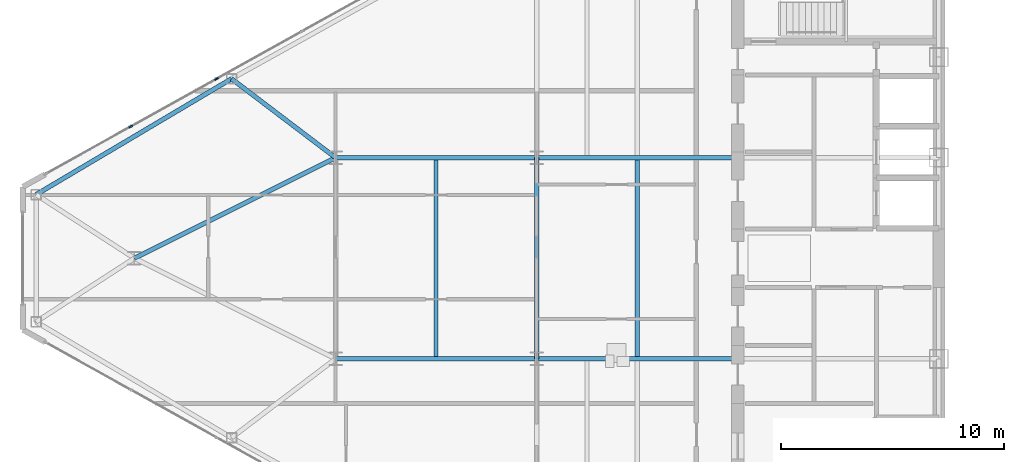
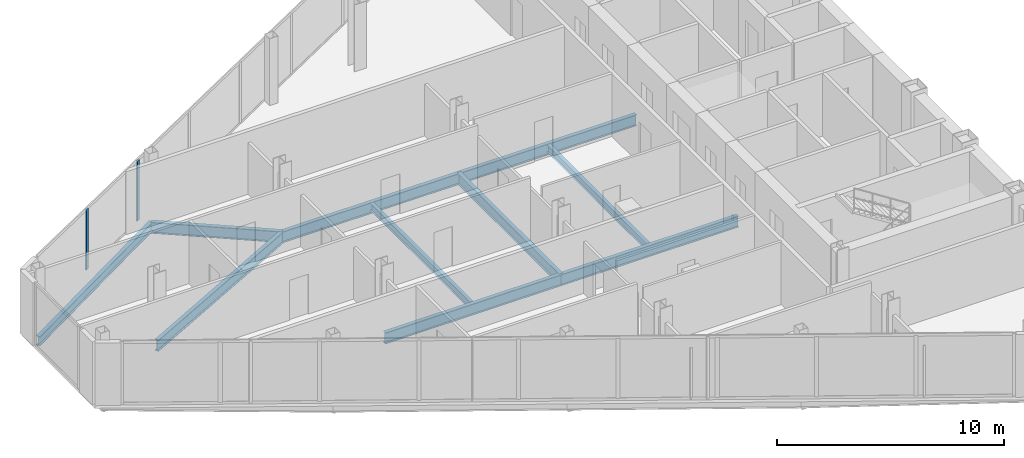
# One storey, part 6 of 26: 10 beams, 2 members, 1 element without a shape of its own.
"""IFC4 building model written with IfcOpenShell, lengths in metres."""

from ifc_helpers import new_model, si_unit, direction, frame, origin, origin_2d, place, context, subcontext, project, spatial, rectangle, i_section, extrude, source, transform, mapped, material, layer, layer_set, material_profile, profile_set, type_object, type_shapes, element, aggregate, save


model = new_model("IFC4")

# Units and contexts
model_context = context("Model", 3, precision=1e-05, world=origin(), true_north=direction((0.0, 1.0)))
body_context = subcontext(model_context, "Body", "Model", "MODEL_VIEW")
ifc_project = project(units=[si_unit("LENGTHUNIT", "METRE"), si_unit("AREAUNIT", "SQUARE_METRE"), si_unit("VOLUMEUNIT", "CUBIC_METRE"), si_unit("PLANEANGLEUNIT", "RADIAN"), si_unit("MASSUNIT", "GRAM", prefix="KILO")], contexts=[model_context])

# Site, building, storey
site_placement = place(None, origin())
site = spatial("IfcSite", under=ifc_project, at=site_placement, CompositionType="ELEMENT")
building_placement = place(site_placement, origin())
building = spatial("IfcBuilding", under=site, at=building_placement, Name="Seokmaru Belvedere", CompositionType="ELEMENT")
storey_placement = place(building_placement, frame((0.0, 0.0, 181.5)))
storey = spatial("IfcBuildingStorey", under=building, at=storey_placement, Name="L48", CompositionType="ELEMENT", Elevation=181.5)

# Beams
ifc_material_1 = material(Name="Steel SM355 (355 MPa)", Category="steel")
ifc_material_profile_1 = material_profile(ifc_material_1, i_section(OverallWidth=0.199951171875, OverallDepth=0.60009765625, WebThickness=0.010986328125, FlangeThickness=0.01708984375, at=origin_2d()), Name="H-600x200x11x17")
ifc_profile_set_1 = profile_set([ifc_material_profile_1], Name="Steel SM355 (355 MPa)")
beam_type_1 = type_object("IfcBeamType", Name="Primary Floor Girder H-600", PredefinedType="BEAM", material=ifc_profile_set_1)
shared_shape_1 = source(origin(), body_context, "Body", "SweptSolid", [
    extrude(i_section(OverallWidth=0.199951171875, OverallDepth=0.60009765625, WebThickness=0.010986328125, FlangeThickness=0.01708984375, at=origin_2d()), origin(), (0.0, 0.0, 1.0), 9.0),
])
for number, where, z_axis, x_axis, name in (
    (1, (-45.5, -4.5, -0.52001953125), (0.0, 1.0, 0.0), (-1.0, 0.0, 0.0), "L48 W Interior Grid Girder 2"),
    (2, (-45.5, -4.5, -0.52001953125), (1.0, 0.0, 0.0), (0.0, 1.0, 0.0), "L48 W Wing Primary Girder 2"),
    (3, (-45.5, 4.5, -0.52001953125), (1.0, 0.0, 0.0), (0.0, 1.0, 0.0), "L48 W Wing Primary Girder 3"),
    (4, (-54.5, -4.5, -0.52001953125), (1.0, 0.0, 0.0), (0.0, 1.0, 0.0), "L48 W Outer Wing Girder 1"),
    (5, (-54.5, 4.5, -0.52001953125), (1.0, 0.0, 0.0), (0.0, 1.0, 0.0), "L48 W Outer Wing Girder 2"),
):
    element("IfcBeam", number, at=place(storey_placement, frame(where, z_axis=z_axis, x_axis=x_axis)), inside=storey, type_object=beam_type_1, Name=name, PredefinedType="BEAM", context=body_context, shape_type="MappedRepresentation", body=[
        mapped(shared_shape_1, transform((0.0, 0.0, 0.0), scale=1.0)),
    ])
shared_shape_2 = source(origin(), body_context, "Body", "SweptSolid", [
    extrude(i_section(OverallWidth=0.199951171875, OverallDepth=0.60009765625, WebThickness=0.010986328125, FlangeThickness=0.01708984375, at=origin_2d()), origin(), (0.0, 0.0, 1.0), 10.062255859375),
])
beam_1_placement = place(storey_placement, frame((-54.5, 4.5, -0.52001953125), z_axis=(-0.894427191, -0.4472135955, 0.0), x_axis=(0.4472135955, -0.894427191, 0.0)))
element("IfcBeam", 6, at=beam_1_placement, inside=storey, type_object=beam_type_1, Name="L48 W Apex Converging Girder 2", PredefinedType="BEAM", context=body_context, shape_type="MappedRepresentation", body=[
    mapped(shared_shape_2, transform((0.0, 0.0, 0.0), scale=1.0)),
])
ifc_material_profile_2 = material_profile(ifc_material_1, i_section(OverallWidth=0.18505859375, OverallDepth=0.389892578125, WebThickness=0.008056640625, FlangeThickness=0.011962890625, at=origin_2d()), Name="H-390x185x8x12")
ifc_profile_set_2 = profile_set([ifc_material_profile_2], Name="Steel SM355 (355 MPa)")
beam_type_2 = type_object("IfcBeamType", Name="Secondary Floor Joist H-350", PredefinedType="JOIST", material=ifc_profile_set_2)
shared_shape_3 = source(origin(), body_context, "Body", "SweptSolid", [
    extrude(i_section(OverallWidth=0.18505859375, OverallDepth=0.389892578125, WebThickness=0.008056640625, FlangeThickness=0.011962890625, at=origin_2d()), origin(), (0.0, 0.0, 1.0), 8.7900390625),
])
type_shapes(beam_type_2, [shared_shape_3])
for number, where, z_axis, x_axis, name in (
    (7, (-41.0, -4.39501953125, -0.4150390625), (0.0, 1.0, 0.0), (-1.0, 0.0, 0.0), "L48 W Secondary Floor Joist 2"),
    (8, (-50.0, -4.39501953125, -0.4150390625), (0.0, 1.0, 0.0), (-1.0, 0.0, 0.0), "L48 W Outer Bay Secondary Joist"),
):
    element("IfcBeam", number, at=place(storey_placement, frame(where, z_axis=z_axis, x_axis=x_axis)), inside=storey, type_object=beam_type_2, Name=name, PredefinedType="JOIST", context=body_context, shape_type="MappedRepresentation", body=[
        mapped(shared_shape_3, transform((0.0, 0.0, 0.0), scale=1.0)),
    ])
ifc_material_profile_3 = material_profile(ifc_material_1, i_section(OverallWidth=0.199951171875, OverallDepth=0.5, WebThickness=0.010009765625, FlangeThickness=0.01611328125, at=origin_2d()), Name="H-500x200x10x16")
ifc_profile_set_3 = profile_set([ifc_material_profile_3], Name="Steel SM355 (355 MPa)")
beam_type_3 = type_object("IfcBeamType", Name="Perimeter Spandrel Beam H-500", PredefinedType="SPANDREL", material=ifc_profile_set_3)
shared_shape_4 = source(origin(), body_context, "Body", "SweptSolid", [
    extrude(i_section(OverallWidth=0.199951171875, OverallDepth=0.5, WebThickness=0.010009765625, FlangeThickness=0.01611328125, at=origin_2d()), origin(), (0.0, 0.0, 1.0), 10.16650390625),
])
type_shapes(beam_type_3, [shared_shape_4])
beam_2_placement = place(storey_placement, frame((-59.154541015625, 8.031494140625, -0.469970703125), z_axis=(-0.860209996506, -0.509939959124, 0.0), x_axis=(0.509939959124, -0.860209996506, 0.0)))
element("IfcBeam", 9, at=beam_2_placement, inside=storey, type_object=beam_type_3, Name="L48 W Faceted Flank Spandrel N-4", PredefinedType="SPANDREL", context=body_context, shape_type="MappedRepresentation", body=[
    mapped(shared_shape_4, transform((0.0, 0.0, 0.0), scale=1.0)),
])
shared_shape_5 = source(origin(), body_context, "Body", "SweptSolid", [
    extrude(i_section(OverallWidth=0.199951171875, OverallDepth=0.60009765625, WebThickness=0.010986328125, FlangeThickness=0.01708984375, at=origin_2d()), origin(), (0.0, 0.0, 1.0), 5.842529296875),
])
type_shapes(beam_type_1, [shared_shape_1, shared_shape_2, shared_shape_5])
beam_3_placement = place(storey_placement, frame((-59.154541015625, 8.031494140625, -0.52001953125), z_axis=(0.796653109879, -0.604436781243, 0.0), x_axis=(0.604436781243, 0.796653109879, 0.0)))
element("IfcBeam", 10, at=beam_3_placement, inside=storey, type_object=beam_type_1, Name="L48 W Flank Radial Floor Girder N-3", PredefinedType="BEAM", context=body_context, shape_type="MappedRepresentation", body=[
    mapped(shared_shape_5, transform((0.0, 0.0, 0.0), scale=1.0)),
])

# Curtain wall, members
ifc_material_2 = material(Name="Bronze Triple Insulating Glass", Category="glass")
ifc_layer = layer(ifc_material_2, 0.179931640625)
ifc_layer_set = layer_set([ifc_layer], Name="Bronze Triple Insulating Glass")
curtain_wall_type = type_object("IfcCurtainWallType", Name="High-Rise Wind-Corner Curtain Wall System CW-5", PredefinedType="NOTDEFINED", material=ifc_layer_set)
curtain_wall_placement = place(storey_placement, origin())
curtain_wall = element("IfcCurtainWall", 11, at=curtain_wall_placement, inside=storey, type_object=curtain_wall_type, Name="L48 Curtain Wall WF3", PredefinedType="NOTDEFINED")
ifc_material_3 = material(Name="Anodised Bronze Aluminium", Category="aluminium")
ifc_material_profile_4 = material_profile(ifc_material_3, rectangle(XDim=0.06494140625, YDim=0.179931640625, at=origin_2d()), Name="CW-M-65x180")
ifc_profile_set_4 = profile_set([ifc_material_profile_4], Name="Anodised Bronze Aluminium")
member_type = type_object("IfcMemberType", Name="Bronze Unitised Mullion 65x180", PredefinedType="MULLION", material=ifc_profile_set_4)
shared_shape_6 = source(origin(), body_context, "Body", "SweptSolid", [
    extrude(rectangle(XDim=0.06494140625, YDim=0.179931640625, at=origin_2d()), origin(), (0.0, 0.0, 1.0), 3.25),
])
type_shapes(member_type, [shared_shape_6])
member_1_placement = place(storey_placement, frame((-59.83056640625, 8.021728515625, 0.06494140625), z_axis=(0.0, 0.0, 1.0), x_axis=(0.486047125147, -0.873932601598, 0.0)))
member_1 = element("IfcMember", 12, at=member_1_placement, type_object=member_type, Name="CW:L48:WF3 Mullion 8", PredefinedType="MULLION", context=body_context, shape_type="MappedRepresentation", body=[
    mapped(shared_shape_6, transform((0.0, 0.0, 0.0), scale=1.0)),
])
member_2_placement = place(storey_placement, frame((-63.662841796875, 5.890380859375, 0.06494140625), z_axis=(0.0, 0.0, 1.0), x_axis=(0.486047125147, -0.873932601598, 0.0)))
member_2 = element("IfcMember", 13, at=member_2_placement, type_object=member_type, Name="CW:L48:WF3 Mullion 9", PredefinedType="MULLION", context=body_context, shape_type="MappedRepresentation", body=[
    mapped(shared_shape_6, transform((0.0, 0.0, 0.0), scale=1.0)),
])
aggregate(curtain_wall, [member_1, member_2])

save(model, "model.ifc")
